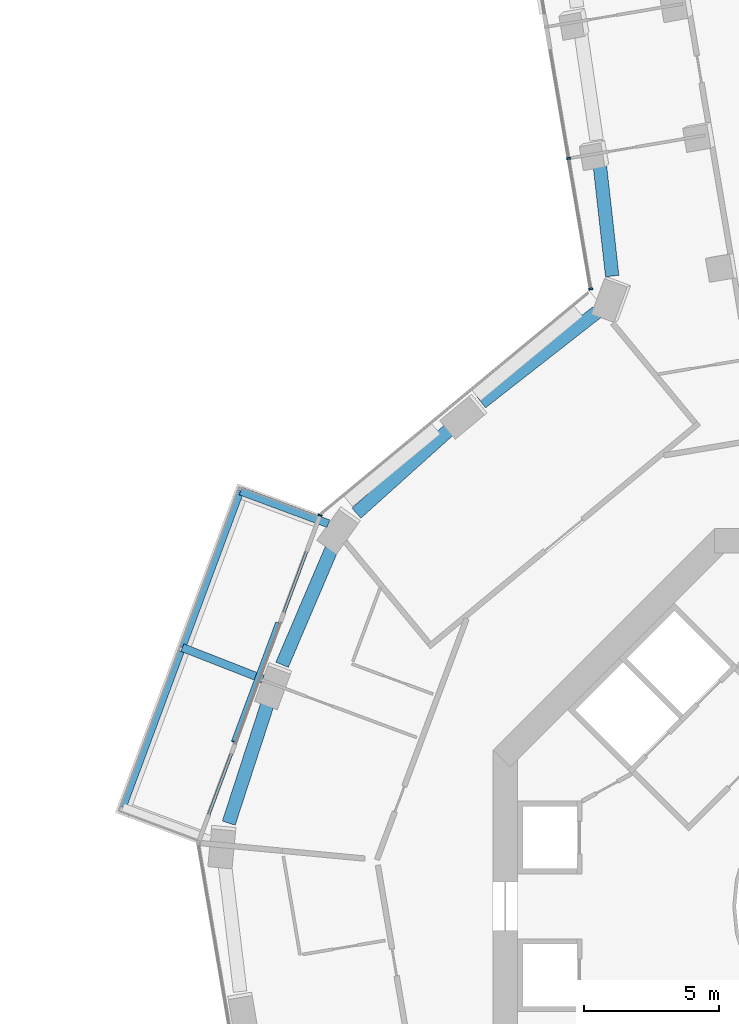
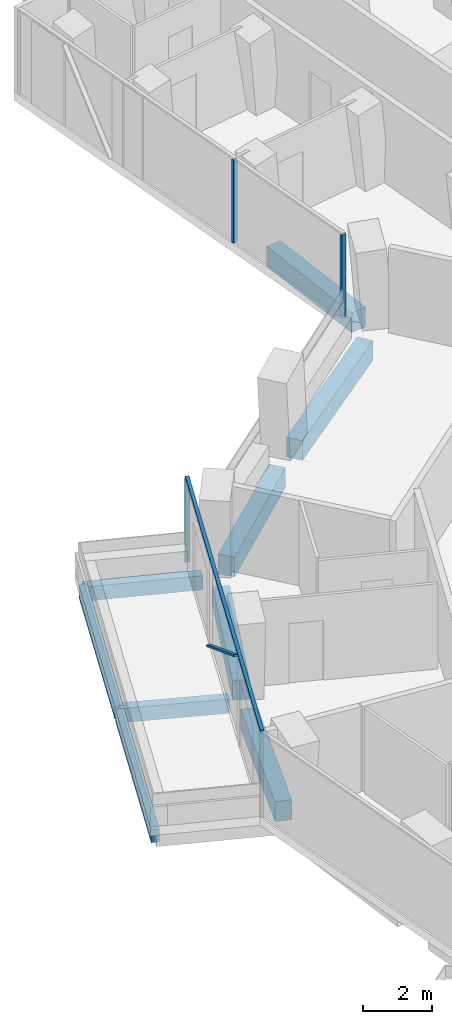
# One storey, part 7 of 27: 9 beams, 5 members, 2 elements without a shape of their own.
"""IFC4 building model written with IfcOpenShell, lengths in metres."""

from ifc_helpers import new_model, si_unit, direction, frame, origin, origin_2d, place, context, subcontext, project, spatial, rectangle, extrude, material, layer, layer_set, material_profile, profile_set, type_object, element, aggregate, save


model = new_model("IFC4")

# Units and contexts
model_context = context("Model", 3, precision=1e-05, world=origin(), true_north=direction((0.0, 1.0)))
body_context = subcontext(model_context, "Body", "Model", "MODEL_VIEW")
ifc_project = project(units=[si_unit("LENGTHUNIT", "METRE"), si_unit("AREAUNIT", "SQUARE_METRE"), si_unit("VOLUMEUNIT", "CUBIC_METRE"), si_unit("PLANEANGLEUNIT", "RADIAN"), si_unit("MASSUNIT", "GRAM", prefix="KILO")], contexts=[model_context])

# Site, building, storey
site_placement = place(None, origin())
site = spatial("IfcSite", under=ifc_project, at=site_placement, CompositionType="ELEMENT")
building_placement = place(site_placement, origin())
building = spatial("IfcBuilding", under=site, at=building_placement, Name="Verdalira Terraces Hotel", CompositionType="ELEMENT")
storey_placement = place(building_placement, frame((0.0, 0.0, 71.5)))
storey = spatial("IfcBuildingStorey", under=building, at=storey_placement, Name="L16", CompositionType="ELEMENT", Elevation=71.5)

# Beams
ifc_material_1 = material(Name="Concrete C40", Category="concrete")
ifc_material_profile_1 = material_profile(ifc_material_1, rectangle(XDim=0.300049, YDim=0.5, at=origin_2d()), Name="RC 300X500")
ifc_profile_set_1 = profile_set([ifc_material_profile_1], Name="Concrete C40")
beam_type_1 = type_object("IfcBeamType", Name="Balcony cantilever beam RC 300X500 C40", PredefinedType="BEAM", material=ifc_profile_set_1)
beam_1_placement = place(storey_placement, frame((-20.104004, 14.182617, -0.560059), z_axis=(-0.937296665, 0.348532583, 0.0), x_axis=(-0.348532583, -0.937296665, 0.0)))
element("IfcBeam", 1, at=beam_1_placement, inside=storey, type_object=beam_type_1, Name="Balcony cantilever beam R12-1", PredefinedType="BEAM", context=body_context, shape_type="SweptSolid", body=[
    extrude(rectangle(XDim=0.300049, YDim=0.5, at=origin_2d()), origin(), (0.0, 0.0, 1.0), 3.47168),
])
beam_2_placement = place(storey_placement, frame((-22.53418, 8.425781, -0.560059), z_axis=(-0.931290036, 0.36427856, 0.0), x_axis=(-0.36427856, -0.931290036, 0.0)))
element("IfcBeam", 2, at=beam_2_placement, inside=storey, type_object=beam_type_1, Name="Balcony cantilever beam R12-2", PredefinedType="BEAM", context=body_context, shape_type="SweptSolid", body=[
    extrude(rectangle(XDim=0.300049, YDim=0.5, at=origin_2d()), origin(), (0.0, 0.0, 1.0), 3.200928),
])
ifc_material_2 = material(Name="Concrete C40", Category="concrete")
ifc_material_profile_2 = material_profile(ifc_material_2, rectangle(XDim=0.25, YDim=0.449951, at=origin_2d()), Name="RC 250X450")
ifc_profile_set_2 = profile_set([ifc_material_profile_2], Name="Concrete C40")
beam_type_2 = type_object("IfcBeamType", Name="Balcony edge beam RC 250X450 C40", PredefinedType="BEAM", material=ifc_profile_set_2)
beam_3_placement = place(storey_placement, frame((-23.35791, 15.392578, -0.534912), z_axis=(-0.348562871, -0.937285402, 0.0), x_axis=(0.937285402, -0.348562871, 0.0)))
element("IfcBeam", 3, at=beam_3_placement, inside=storey, type_object=beam_type_2, Name="Balcony edge beam R12-1", PredefinedType="BEAM", context=body_context, shape_type="SweptSolid", body=[
    extrude(rectangle(XDim=0.25, YDim=0.449951, at=origin_2d()), origin(), (0.0, 0.0, 1.0), 6.188965),
])
beam_4_placement = place(storey_placement, frame((-25.567383, 9.451172, -0.534912), z_axis=(-0.348595319, -0.937273334, 0.0), x_axis=(0.937273334, -0.348595319, 0.0)))
element("IfcBeam", 4, at=beam_4_placement, inside=storey, type_object=beam_type_2, Name="Balcony edge beam R12-2", PredefinedType="BEAM", context=body_context, shape_type="SweptSolid", body=[
    extrude(rectangle(XDim=0.25, YDim=0.449951, at=origin_2d()), origin(), (0.0, 0.0, 1.0), 6.162354),
])

# Curtain wall, members
ifc_material_3 = material(Name="Clear glass", Category="glass")
ifc_layer_1 = layer(ifc_material_3, 0.14990234375)
ifc_layer_set_1 = layer_set([ifc_layer_1], Name="CW1 curtain wall")
curtain_wall_type_1 = type_object("IfcCurtainWallType", Name="CW1 curtain wall", PredefinedType="NOTDEFINED", material=ifc_layer_set_1)
curtain_wall_1_placement = place(storey_placement, origin())
curtain_wall_1 = element("IfcCurtainWall", 5, at=curtain_wall_1_placement, inside=storey, type_object=curtain_wall_type_1, Name="CW1 curtain wall L16 edge 12", PredefinedType="NOTDEFINED")
ifc_material_4 = material(Name="Terracotta frame", Category="masonry")
ifc_material_profile_3 = material_profile(ifc_material_4, rectangle(XDim=0.060059, YDim=0.149902, at=origin_2d()), Name="MU 60x150")
ifc_profile_set_3 = profile_set([ifc_material_profile_3], Name="Terracotta frame")
member_type_1 = type_object("IfcMemberType", Name="CW1 mullion 60x150", PredefinedType="MULLION", material=ifc_profile_set_3)
member_1_placement = place(storey_placement, frame((-20.411377, 14.493896, 0.0), z_axis=(0.0, 0.0, 1.0), x_axis=(-0.348572047, -0.937281989, 0.0)))
member_1 = element("IfcMember", 6, at=member_1_placement, type_object=member_type_1, Name="CW1 mullion", PredefinedType="MULLION", context=body_context, shape_type="SweptSolid", body=[
    extrude(rectangle(XDim=0.060059, YDim=0.149902, at=origin_2d()), origin(), (0.0, 0.0, 1.0), 2.935059),
])
ifc_material_5 = material(Name="Terracotta frame", Category="masonry")
ifc_material_profile_4 = material_profile(ifc_material_5, rectangle(XDim=0.110107, YDim=0.064941, at=origin_2d()), Name="TR 65x110")
ifc_profile_set_4 = profile_set([ifc_material_profile_4], Name="Terracotta frame")
member_type_2 = type_object("IfcMemberType", Name="CW1 transom 65x110", PredefinedType="USERDEFINED", material=ifc_profile_set_4)
member_2_placement = place(storey_placement, frame((-20.400879, 14.521973, 2.967529), z_axis=(-0.348566309, -0.937284124, 0.0), x_axis=(0.937284124, -0.348566309, 0.0)))
member_2 = element("IfcMember", 7, at=member_2_placement, type_object=member_type_2, Name="CW1 transom", ObjectType="TRANSOM", PredefinedType="USERDEFINED", context=body_context, shape_type="SweptSolid", body=[
    extrude(rectangle(XDim=0.110107, YDim=0.064941, at=origin_2d()), origin(), (0.0, 0.0, 1.0), 12.959717),
])

ifc_material_6 = material(Name="Clear glass", Category="glass")
ifc_layer_2 = layer(ifc_material_6, 0.14990234375)
ifc_layer_set_2 = layer_set([ifc_layer_2], Name="CW2 curtain wall")
curtain_wall_type_2 = type_object("IfcCurtainWallType", Name="CW2 curtain wall", PredefinedType="NOTDEFINED", material=ifc_layer_set_2)
curtain_wall_2_placement = place(storey_placement, origin())
curtain_wall_2 = element("IfcCurtainWall", 8, at=curtain_wall_2_placement, inside=storey, type_object=curtain_wall_type_2, Name="CW2 curtain wall L16 edge 10", PredefinedType="NOTDEFINED")
ifc_material_7 = material(Name="Terracotta frame", Category="masonry")
ifc_material_profile_5 = material_profile(ifc_material_7, rectangle(XDim=0.070068, YDim=0.149902, at=origin_2d()), Name="MU 70x150")
ifc_profile_set_5 = profile_set([ifc_material_profile_5], Name="Terracotta frame")
member_type_3 = type_object("IfcMemberType", Name="CW2 mullion 70x150", PredefinedType="MULLION", material=ifc_profile_set_5)
member_3_placement = place(storey_placement, frame((-11.204346, 27.717773, 0.0), z_axis=(0.0, 0.0, 1.0), x_axis=(0.166768747, -0.985996037, 0.0)))
member_3 = element("IfcMember", 9, at=member_3_placement, type_object=member_type_3, Name="CW2 mullion", PredefinedType="MULLION", context=body_context, shape_type="SweptSolid", body=[
    extrude(rectangle(XDim=0.070068, YDim=0.149902, at=origin_2d()), origin(), (0.0, 0.0, 1.0), 2.935059),
])
member_4_placement = place(storey_placement, frame((-10.386475, 22.881592, 0.0), z_axis=(0.0, 0.0, 1.0), x_axis=(0.166768747, -0.985996037, 0.0)))
member_4 = element("IfcMember", 10, at=member_4_placement, type_object=member_type_3, Name="CW2 mullion", PredefinedType="MULLION", context=body_context, shape_type="SweptSolid", body=[
    extrude(rectangle(XDim=0.070068, YDim=0.149902, at=origin_2d()), origin(), (0.0, 0.0, 1.0), 2.935059),
])
aggregate(curtain_wall_2, [member_3, member_4])

# Member
ifc_material_8 = material(Name="Terracotta frame", Category="masonry")
ifc_material_profile_6 = material_profile(ifc_material_8, rectangle(XDim=0.149902, YDim=0.060059, at=origin_2d()), Name="GB 60x150")
ifc_profile_set_6 = profile_set([ifc_material_profile_6], Name="Terracotta frame")
member_type_4 = type_object("IfcMemberType", Name="Diagonal glazing bar 60x150", PredefinedType="USERDEFINED", material=ifc_profile_set_6)
member_5_placement = place(storey_placement, frame((-21.990479, 10.503174, 0.026611), z_axis=(-0.297058692, -0.79876077, 0.523199164), x_axis=(0.937281137, -0.34857434, 0.0)))
member_5 = element("IfcMember", 11, at=member_5_placement, type_object=member_type_4, Name="Diagonal glazing bar", ObjectType="GLAZING BAR", PredefinedType="USERDEFINED", context=body_context, shape_type="SweptSolid", body=[
    extrude(rectangle(XDim=0.149902, YDim=0.060059, at=origin_2d()), origin(), (0.0, 0.0, 1.0), 5.508057),
])

aggregate(curtain_wall_1, [member_1, member_2, member_5])

# Beams
ifc_material_9 = material(Name="Concrete C70", Category="concrete")
ifc_material_profile_7 = material_profile(ifc_material_9, rectangle(XDim=0.5, YDim=0.699951, at=origin_2d()), Name="RC 500X700")
ifc_profile_set_7 = profile_set([ifc_material_profile_7], Name="Concrete C70")
beam_type_3 = type_object("IfcBeamType", Name="Spandrel beam RC 500X700 C70", PredefinedType="SPANDREL", material=ifc_profile_set_7)
beam_5_placement = place(storey_placement, frame((-10.047852, 27.485107, -0.659912), z_axis=(0.110825145, -0.99383992, 0.0), x_axis=(0.99383992, 0.110825145, 0.0)))
element("IfcBeam", 12, at=beam_5_placement, inside=storey, type_object=beam_type_3, Name="Spandrel beam B07", PredefinedType="SPANDREL", context=body_context, shape_type="SweptSolid", body=[
    extrude(rectangle(XDim=0.5, YDim=0.699951, at=origin_2d()), origin(), (0.0, 0.0, 1.0), 4.152588),
])
beam_6_placement = place(storey_placement, frame((-10.150879, 22.021973, -0.659912), z_axis=(-0.787744591, -0.616001996, 0.0), x_axis=(0.616001996, -0.787744591, 0.0)))
element("IfcBeam", 13, at=beam_6_placement, inside=storey, type_object=beam_type_3, Name="Spandrel beam B08", PredefinedType="SPANDREL", context=body_context, shape_type="SweptSolid", body=[
    extrude(rectangle(XDim=0.5, YDim=0.699951, at=origin_2d()), origin(), (0.0, 0.0, 1.0), 5.438965),
])
beam_7_placement = place(storey_placement, frame((-15.529541, 17.752686, -0.659912), z_axis=(-0.743322225, -0.668933531, 0.0), x_axis=(0.668933531, -0.743322225, 0.0)))
element("IfcBeam", 14, at=beam_7_placement, inside=storey, type_object=beam_type_3, Name="Spandrel beam B09", PredefinedType="SPANDREL", context=body_context, shape_type="SweptSolid", body=[
    extrude(rectangle(XDim=0.5, YDim=0.699951, at=origin_2d()), origin(), (0.0, 0.0, 1.0), 4.755615),
])
beam_8_placement = place(storey_placement, frame((-19.949951, 13.331055, -0.659912), z_axis=(-0.393064709, -0.919510813, 0.0), x_axis=(0.919510813, -0.393064709, 0.0)))
element("IfcBeam", 15, at=beam_8_placement, inside=storey, type_object=beam_type_3, Name="Spandrel beam B10", PredefinedType="SPANDREL", context=body_context, shape_type="SweptSolid", body=[
    extrude(rectangle(XDim=0.5, YDim=0.699951, at=origin_2d()), origin(), (0.0, 0.0, 1.0), 4.759033),
])
beam_9_placement = place(storey_placement, frame((-22.325195, 7.609375, -0.659912), z_axis=(-0.309319397, -0.950958207, 0.0), x_axis=(0.950958207, -0.309319397, 0.0)))
element("IfcBeam", 16, at=beam_9_placement, inside=storey, type_object=beam_type_3, Name="Spandrel beam B11", PredefinedType="SPANDREL", context=body_context, shape_type="SweptSolid", body=[
    extrude(rectangle(XDim=0.5, YDim=0.699951, at=origin_2d()), origin(), (0.0, 0.0, 1.0), 4.755371),
])

save(model, "model.ifc")
